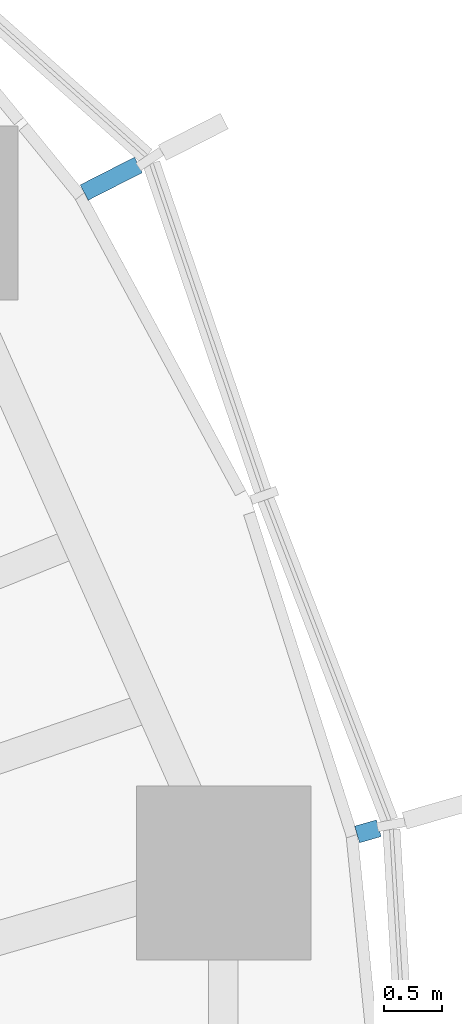
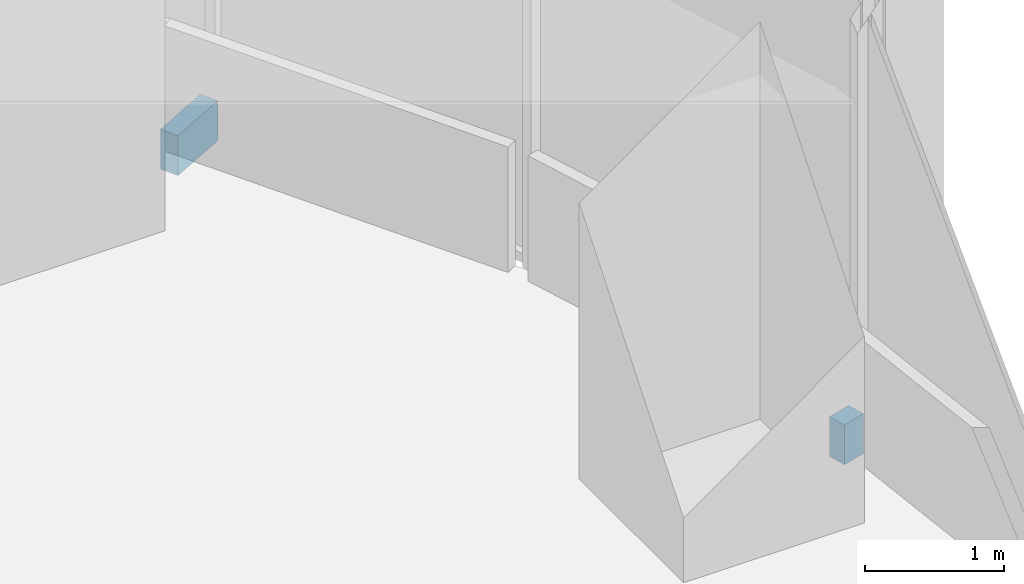
# One storey, part 16 of 18: 2 discrete accessories.
"""IFC4 building model written with IfcOpenShell, lengths in metres."""

from ifc_helpers import new_model, si_unit, direction, frame, origin, origin_2d, place, context, subcontext, project, spatial, rectangle, extrude, material, type_object, element, save


model = new_model("IFC4")

# Units and contexts
model_context = context("Model", 3, precision=1e-05, world=origin(), true_north=direction((0.0, 1.0)))
body_context = subcontext(model_context, "Body", "Model", "MODEL_VIEW")
ifc_project = project(units=[si_unit("LENGTHUNIT", "METRE"), si_unit("AREAUNIT", "SQUARE_METRE"), si_unit("VOLUMEUNIT", "CUBIC_METRE"), si_unit("PLANEANGLEUNIT", "RADIAN"), si_unit("MASSUNIT", "GRAM", prefix="KILO")], contexts=[model_context])

# Site, building, storey
site_placement = place(None, origin())
site = spatial("IfcSite", under=ifc_project, at=site_placement, CompositionType="ELEMENT")
building_placement = place(site_placement, origin())
building = spatial("IfcBuilding", under=site, at=building_placement, Name="Ghaith Harvest Tower", CompositionType="ELEMENT")
storey_placement = place(building_placement, frame((0.0, 0.0, 130.199951171875)))
storey = spatial("IfcBuildingStorey", under=building, at=storey_placement, Name="L27", CompositionType="ELEMENT", Elevation=130.199951171875)

# Discrete accessories
ifc_material_1 = material(Name="Stainless steel grade 1.4401", Category="steel")
discrete_accessory_type_1 = type_object("IfcDiscreteAccessoryType", Name="CURTAIN WALL BRACKET 195", PredefinedType="BRACKET", material=ifc_material_1)
discrete_accessory_1_placement = place(storey_placement, frame((30.528076171875, 8.8232421875, -0.25), z_axis=(0.0, 0.0, 1.0), x_axis=(0.960680349985, 0.277656739792, 0.0)))
element("IfcDiscreteAccessory", 1, at=discrete_accessory_1_placement, inside=storey, type_object=discrete_accessory_type_1, Name="CW-L bracket 1 bay 02 L27", PredefinedType="BRACKET", context=body_context, shape_type="SweptSolid", body=[
    extrude(rectangle(XDim=0.195068359375, YDim=0.14990234375, at=origin_2d()), origin(), (0.0, 0.0, 1.0), 0.35009765625),
])
ifc_material_2 = material(Name="Stainless steel grade 1.4401", Category="steel")
discrete_accessory_type_2 = type_object("IfcDiscreteAccessoryType", Name="CURTAIN WALL BRACKET 525", PredefinedType="BRACKET", material=ifc_material_2)
discrete_accessory_2_placement = place(storey_placement, frame((28.318115234375, 14.442626953125, -0.25), z_axis=(0.0, 0.0, 1.0), x_axis=(0.890830752257, 0.454335306611, 0.0)))
element("IfcDiscreteAccessory", 2, at=discrete_accessory_2_placement, inside=storey, type_object=discrete_accessory_type_2, Name="CW-L bracket 3 bay 02 L27", PredefinedType="BRACKET", context=body_context, shape_type="SweptSolid", body=[
    extrude(rectangle(XDim=0.52490234375, YDim=0.14990234375, at=origin_2d()), origin(), (0.0, 0.0, 1.0), 0.35009765625),
])

save(model, "model.ifc")
